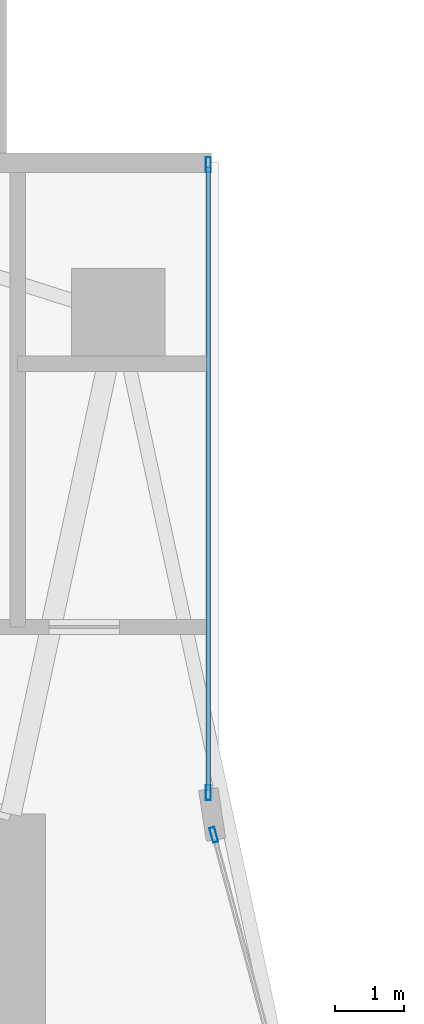
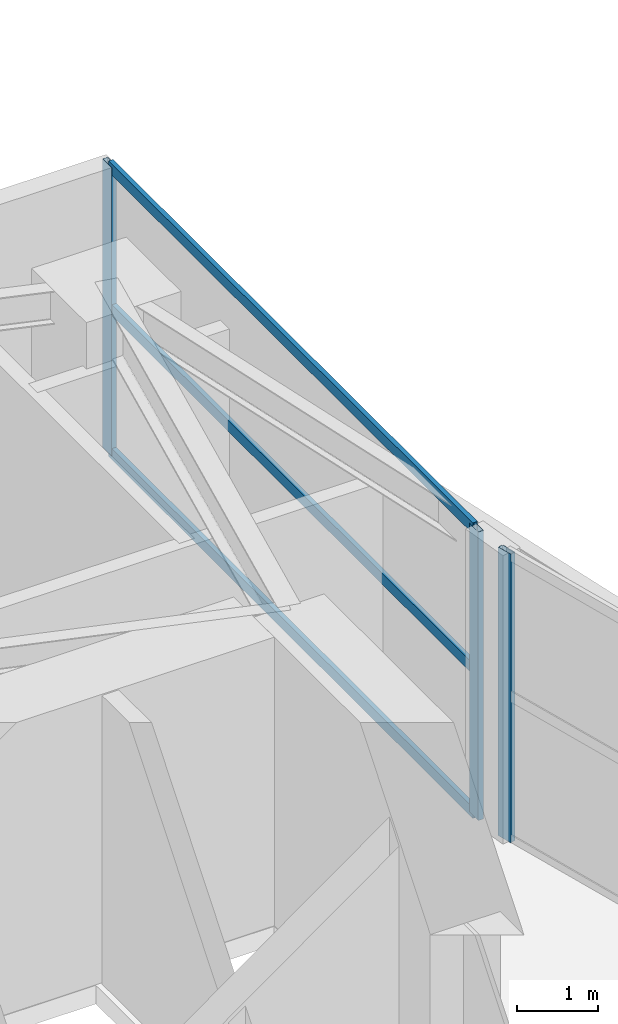
# One storey, part 7 of 18: 6 members, 2 elements without a shape of their own.
"""IFC4 building model written with IfcOpenShell, lengths in metres."""

from ifc_helpers import new_model, si_unit, direction, frame, origin, origin_2d, place, context, subcontext, project, spatial, hollow_rectangle, extrude, material, layer, layer_set, material_profile, profile_set, type_object, element, aggregate, save


model = new_model("IFC4")

# Units and contexts
model_context = context("Model", 3, precision=1e-05, world=origin(), true_north=direction((0.0, 1.0)))
body_context = subcontext(model_context, "Body", "Model", "MODEL_VIEW")
ifc_project = project(units=[si_unit("LENGTHUNIT", "METRE"), si_unit("AREAUNIT", "SQUARE_METRE"), si_unit("VOLUMEUNIT", "CUBIC_METRE"), si_unit("PLANEANGLEUNIT", "RADIAN"), si_unit("MASSUNIT", "GRAM", prefix="KILO")], contexts=[model_context])

# Site, building, storey
site_placement = place(None, origin())
site = spatial("IfcSite", under=ifc_project, at=site_placement, CompositionType="ELEMENT")
building_placement = place(site_placement, origin())
building = spatial("IfcBuilding", under=site, at=building_placement, Name="Calvorn Quay Hotel", CompositionType="ELEMENT")
storey_placement = place(building_placement, frame((0.0, 0.0, 92.60009765625)))
storey = spatial("IfcBuildingStorey", under=building, at=storey_placement, Name="L22", CompositionType="ELEMENT", Elevation=92.60009765625)

# Curtain wall, member
ifc_material_1 = material(Name="Pale Anodised Aluminium and Low-E Glass", Category="aluminium")
ifc_layer = layer(ifc_material_1, 0.219970703125)
ifc_layer_set = layer_set([ifc_layer], Name="CW-SYS-Z1")
curtain_wall_type = type_object("IfcCurtainWallType", Name="CW-SYS-Z1", PredefinedType="NOTDEFINED", material=ifc_layer_set)
curtain_wall_1_placement = place(storey_placement, origin())
curtain_wall_1 = element("IfcCurtainWall", 1, at=curtain_wall_1_placement, inside=storey, type_object=curtain_wall_type, Name="Inner Court Curtain Wall L22-IC1", PredefinedType="NOTDEFINED")
ifc_material_2 = material(Name="Pale Anodised Aluminium 6063-T6", Category="aluminium")
ifc_material_profile_1 = material_profile(ifc_material_2, hollow_rectangle(XDim=0.074951171875, YDim=0.219970703125, WallThickness=0.00439453125, at=origin_2d()), Name="ALU-M220x75x4.5")
ifc_profile_set_1 = profile_set([ifc_material_profile_1], Name="Pale Anodised Aluminium 6063-T6")
member_type_1 = type_object("IfcMemberType", Name="CW-SYS-Z1-MUL", PredefinedType="MULLION", material=ifc_profile_set_1)
member_1_placement = place(storey_placement, frame((17.9296875, 38.10107421875, 0.0), z_axis=(0.0, 0.0, 1.0), x_axis=(-0.96593652056, -0.25877913024, 0.0)))
member_1 = element("IfcMember", 2, at=member_1_placement, type_object=member_type_1, Name="CW-L22-IC1 mullion 2", PredefinedType="MULLION", context=body_context, shape_type="SweptSolid", body=[
    extrude(hollow_rectangle(XDim=0.074951171875, YDim=0.219970703125, WallThickness=0.00439453125, at=origin_2d()), origin(), (0.0, 0.0, 1.0), 4.349853515625),
])
aggregate(curtain_wall_1, [member_1])

# Curtain wall, members
curtain_wall_2_placement = place(storey_placement, origin())
curtain_wall_2 = element("IfcCurtainWall", 3, at=curtain_wall_2_placement, inside=storey, type_object=curtain_wall_type, Name="Inner Court Curtain Wall L22-IC2", PredefinedType="NOTDEFINED")
member_2_placement = place(storey_placement, frame((17.85009765625, 38.7099609375, 0.0), z_axis=(0.0, 0.0, 1.0), x_axis=(-1.0, 0.0, 0.0)))
member_2 = element("IfcMember", 4, at=member_2_placement, type_object=member_type_1, Name="CW-L22-IC2 mullion 1", PredefinedType="MULLION", context=body_context, shape_type="SweptSolid", body=[
    extrude(hollow_rectangle(XDim=0.074951171875, YDim=0.219970703125, WallThickness=0.00439453125, at=origin_2d()), origin(), (0.0, 0.0, 1.0), 4.349853515625),
])
member_3_placement = place(storey_placement, frame((17.85009765625, 47.77001953125, 0.0), z_axis=(0.0, 0.0, 1.0), x_axis=(-1.0, 0.0, 0.0)))
member_3 = element("IfcMember", 5, at=member_3_placement, type_object=member_type_1, Name="CW-L22-IC2 mullion 2", PredefinedType="MULLION", context=body_context, shape_type="SweptSolid", body=[
    extrude(hollow_rectangle(XDim=0.074951171875, YDim=0.219970703125, WallThickness=0.00439453125, at=origin_2d()), origin(), (0.0, 0.0, 1.0), 4.349853515625),
])
ifc_material_3 = material(Name="Pale Anodised Aluminium 6063-T6", Category="aluminium")
ifc_material_profile_2 = material_profile(ifc_material_3, hollow_rectangle(XDim=0.06494140625, YDim=0.1650390625, WallThickness=0.00341796875, at=origin_2d()), Name="ALU-T165x65x3.5")
ifc_profile_set_2 = profile_set([ifc_material_profile_2], Name="Pale Anodised Aluminium 6063-T6")
member_type_2 = type_object("IfcMemberType", Name="CW-SYS-Z1-TRN", PredefinedType="USERDEFINED", material=ifc_profile_set_2)
member_4_placement = place(storey_placement, frame((17.85009765625, 38.739990234375, 0.02978515625), z_axis=(0.0, 1.0, 0.0), x_axis=(-1.0, 0.0, 0.0)))
member_4 = element("IfcMember", 6, at=member_4_placement, type_object=member_type_2, Name="CW-L22-IC2 transom 1.1", ObjectType="TRANSOM", PredefinedType="USERDEFINED", context=body_context, shape_type="SweptSolid", body=[
    extrude(hollow_rectangle(XDim=0.06494140625, YDim=0.1650390625, WallThickness=0.00341796875, at=origin_2d()), origin(), (0.0, 0.0, 1.0), 9.0),
])
member_5_placement = place(storey_placement, frame((17.85009765625, 38.739990234375, 2.199951171875), z_axis=(0.0, 1.0, 0.0), x_axis=(-1.0, 0.0, 0.0)))
member_5 = element("IfcMember", 7, at=member_5_placement, type_object=member_type_2, Name="CW-L22-IC2 transom 1.2", ObjectType="TRANSOM", PredefinedType="USERDEFINED", context=body_context, shape_type="SweptSolid", body=[
    extrude(hollow_rectangle(XDim=0.06494140625, YDim=0.1650390625, WallThickness=0.00341796875, at=origin_2d()), origin(), (0.0, 0.0, 1.0), 9.0),
])
member_6_placement = place(storey_placement, frame((17.85009765625, 38.739990234375, 4.31982421875), z_axis=(0.0, 1.0, 0.0), x_axis=(-1.0, 0.0, 0.0)))
member_6 = element("IfcMember", 8, at=member_6_placement, type_object=member_type_2, Name="CW-L22-IC2 transom 1.3", ObjectType="TRANSOM", PredefinedType="USERDEFINED", context=body_context, shape_type="SweptSolid", body=[
    extrude(hollow_rectangle(XDim=0.06494140625, YDim=0.1650390625, WallThickness=0.00341796875, at=origin_2d()), origin(), (0.0, 0.0, 1.0), 9.0),
])
aggregate(curtain_wall_2, [member_2, member_3, member_4, member_5, member_6])

save(model, "model.ifc")
